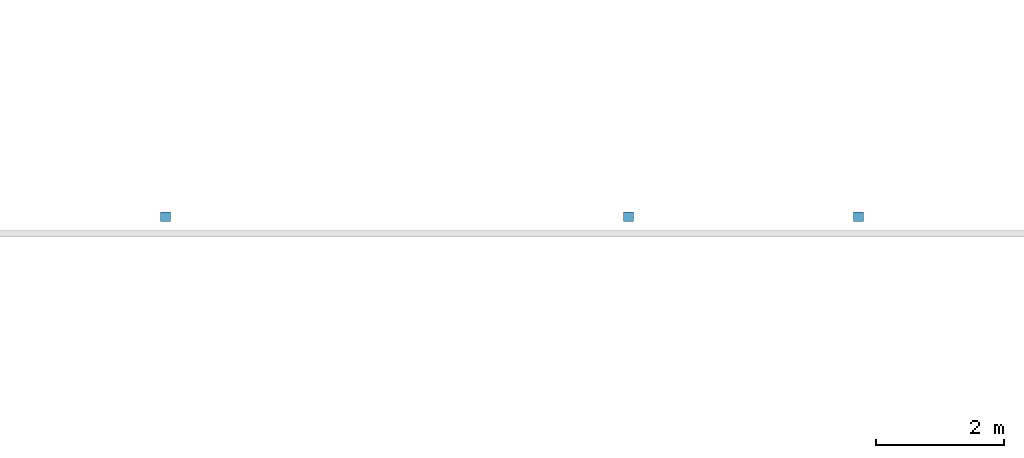
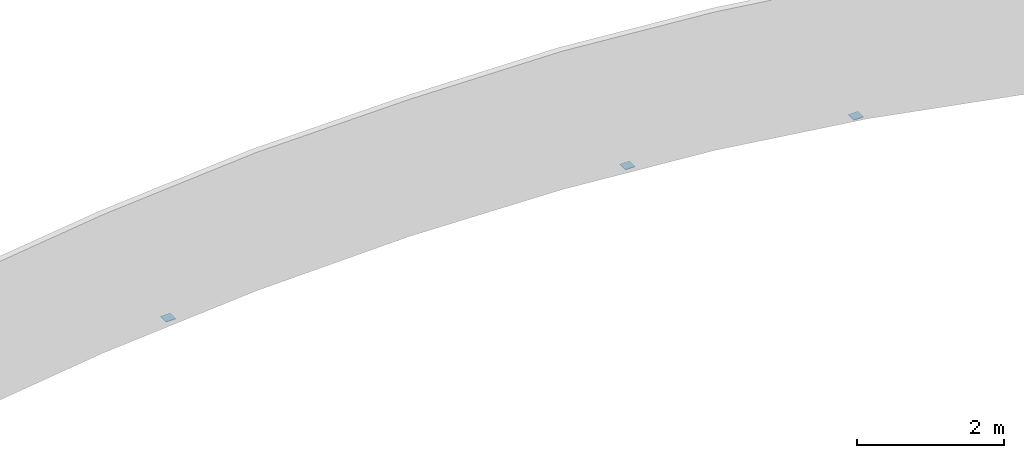
# One storey, part 3 of 17: 3 discrete accessories.
"""IFC4 building model written with IfcOpenShell, lengths in metres."""

from ifc_helpers import new_model, si_unit, direction, frame, origin, origin_2d, place, context, subcontext, project, spatial, rectangle, extrude, material, material_profile, profile_set, type_object, element, save


model = new_model("IFC4")

# Units and contexts
model_context = context("Model", 3, precision=1e-05, world=origin(), true_north=direction((0.0, 1.0)))
body_context = subcontext(model_context, "Body", "Model", "MODEL_VIEW")
ifc_project = project(units=[si_unit("LENGTHUNIT", "METRE"), si_unit("AREAUNIT", "SQUARE_METRE"), si_unit("VOLUMEUNIT", "CUBIC_METRE"), si_unit("PLANEANGLEUNIT", "RADIAN"), si_unit("MASSUNIT", "GRAM", prefix="KILO")], contexts=[model_context])

# Site, building, storey
site_placement = place(None, origin())
site = spatial("IfcSite", under=ifc_project, at=site_placement, CompositionType="ELEMENT")
building_placement = place(site_placement, origin())
building = spatial("IfcBuilding", under=site, at=building_placement, Name="Verrick Yard Athletic Hall", CompositionType="ELEMENT")
storey_placement = place(building_placement, frame((0.0, 0.0, 18.199951171875)))
storey = spatial("IfcBuildingStorey", under=building, at=storey_placement, Name="Roof", CompositionType="ELEMENT", Elevation=18.199951171875)

# Discrete accessories
ifc_material = material(Name="Structural steel 350W (CSA G40.21)", Category="steel")
ifc_material_profile = material_profile(ifc_material, rectangle(XDim=0.15234375, YDim=0.15234375, at=origin_2d()), Name="STR End cap plate 152x152x9.5")
ifc_profile_set = profile_set([ifc_material_profile], Name="Structural steel 350W (CSA G40.21)")
discrete_accessory_type = type_object("IfcDiscreteAccessoryType", Name="STR End cap plate 152x152x9.5", PredefinedType="BRACKET", material=ifc_profile_set)
for number, where, z_axis, x_axis, name in (
    (1, (59.184326171875, 72.49462890625, 1.84814453125), (0.0, 0.0, 1.0), (1.0, 0.0, 0.0), "End cap HB-GP-BS-9 B"),
    (2, (55.603271484375, 72.49462890625, 2.279052734375), (0.0, 0.0, 1.0), (1.0, 0.0, 0.0), "End cap HB-GP-BS-8 B"),
    (3, (48.396728515625, 72.49462890625, 2.279052734375), (0.0, 0.0, 1.0), (1.0, 0.0, 0.0), "End cap HB-GP-BS-6 B"),
):
    element("IfcDiscreteAccessory", number, at=place(storey_placement, frame(where, z_axis=z_axis, x_axis=x_axis)), inside=storey, type_object=discrete_accessory_type, Name=name, PredefinedType="BRACKET", context=body_context, shape_type="SweptSolid", body=[
        extrude(rectangle(XDim=0.15234375, YDim=0.15234375, at=origin_2d()), origin(), (0.0, 0.0, 1.0), 0.010009765625),
    ])

save(model, "model.ifc")
